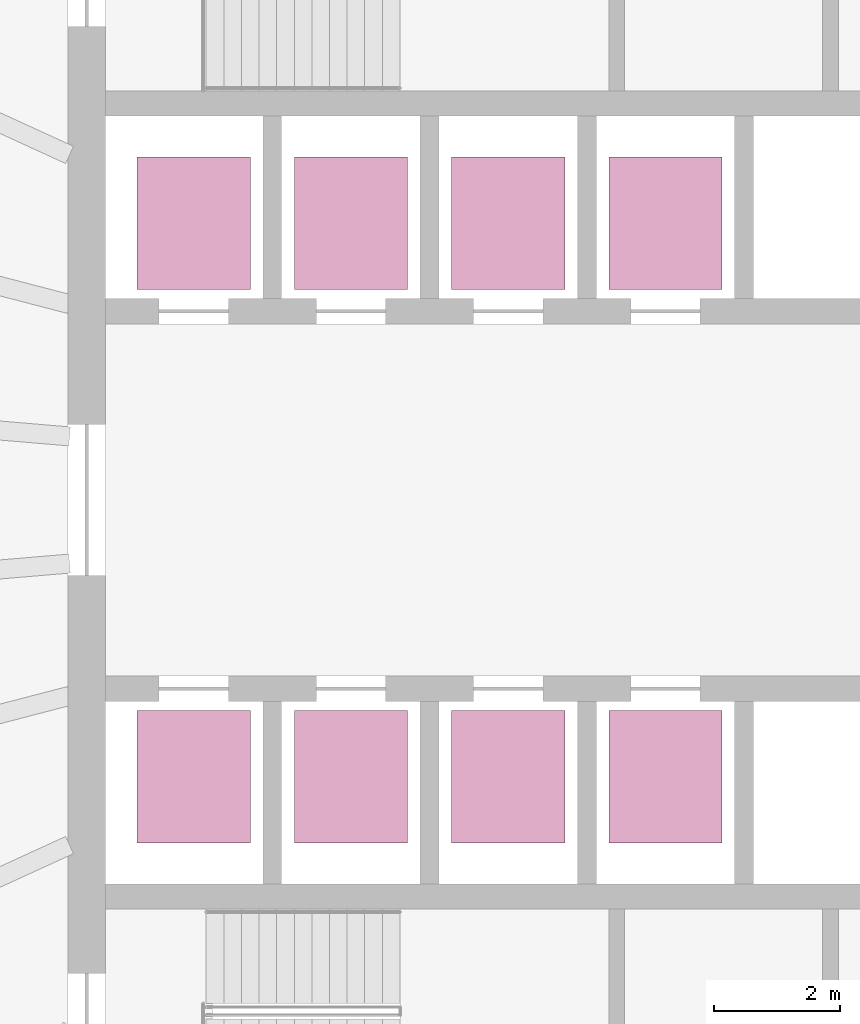
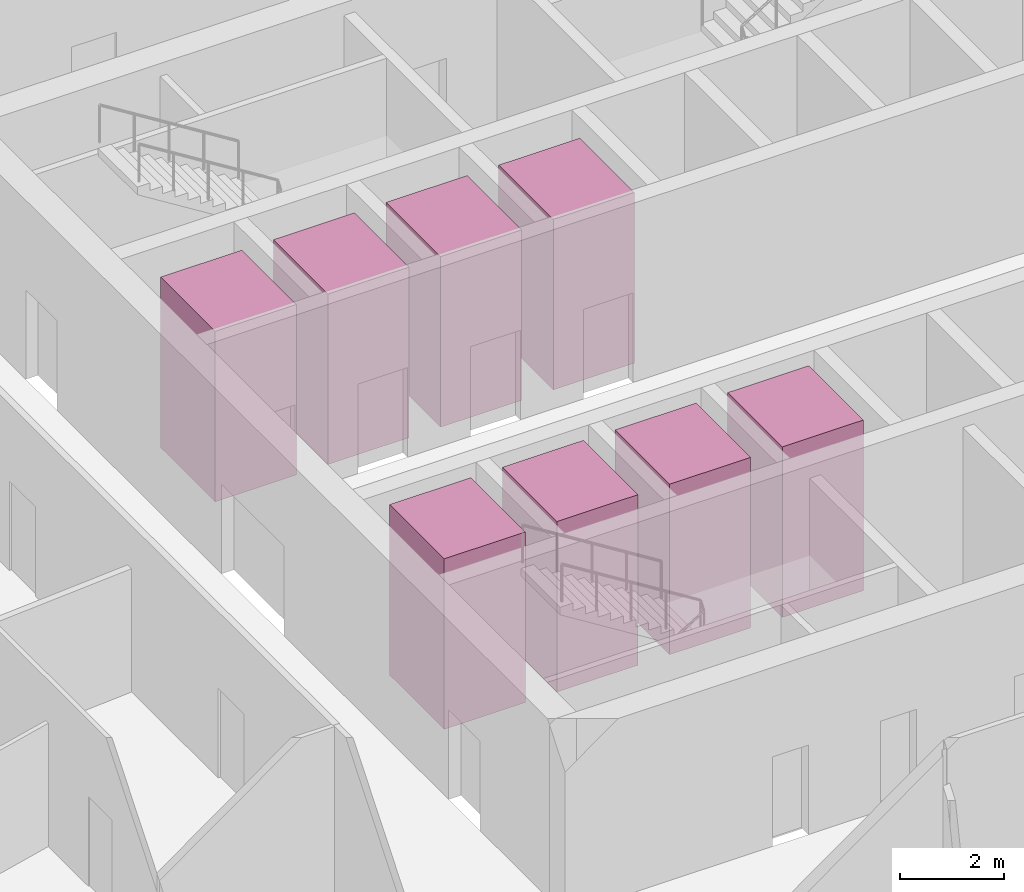
# One storey, part 16 of 16: 8 transport elements.
"""IFC4 building model written with IfcOpenShell, lengths in metres."""

import ifcopenshell
import ifcopenshell.guid

model = None  # the IFC model being written
_history = None  # IfcOwnerHistory: only IFC2X3 demands one
_inside = {}  # id of a spatial element -> (the spatial element, [elements in it])
_under = {}  # id of a project, library or spatial element -> (it, [spatial elements below it])
_declared = {}  # id of a project -> (the project, [libraries it declares])
_typed = {}  # id of a type object -> (the type object, [elements of that type])
_made_of = {}  # id of a material, layer set ... -> (it, [elements and type objects made of it])


def new_model(schema):
    """Start an empty IFC model of exactly this schema.

    Asked for "IFC4X3", IfcOpenShell would pick the latest addendum, in which some entities
    have other attributes; the version numbers below select the first issue.
    IFC2X3 requires an IfcOwnerHistory on every rooted entity: one is made here for all.
    """
    global model, _history
    if schema == "IFC4X3":
        model = ifcopenshell.file(schema_version=(4, 3, 0, 0))
    else:
        model = ifcopenshell.file(schema=schema)
    _inside.clear()
    _under.clear()
    _declared.clear()
    _typed.clear()
    _made_of.clear()
    _history = None
    if model.schema == "IFC2X3":
        org = make("IfcOrganization", Name="unknown")
        user = make(
            "IfcPersonAndOrganization",
            ThePerson=make("IfcPerson", FamilyName="unknown"),
            TheOrganization=org,
        )
        app = make(
            "IfcApplication",
            ApplicationDeveloper=org,
            Version="unknown",
            ApplicationFullName="unknown",
            ApplicationIdentifier="unknown",
        )
        _history = make(
            "IfcOwnerHistory",
            OwningUser=user,
            OwningApplication=app,
            ChangeAction="ADDED",
            CreationDate=0,
        )
    return model


def make(cls, **values):
    """One entity of the class cls with the attributes given. An attribute that is None is left unset."""
    return model.create_entity(
        cls, **{name: value for name, value in values.items() if value is not None}
    )


def rooted(cls, **values):
    """An entity with a GlobalId (a new one), such as an element, a storey or a relation."""
    return make(cls, GlobalId=ifcopenshell.guid.new(), OwnerHistory=_history, **values)


def si_unit(unit_type, name, prefix=None):
    """IfcSIUnit, for example si_unit("LENGTHUNIT", "METRE", prefix="MILLI")."""
    return make("IfcSIUnit", UnitType=unit_type, Prefix=prefix, Name=name)


def assignment(units):
    """IfcUnitAssignment: the units of a project."""
    return None if units is None else make("IfcUnitAssignment", Units=units)


def point(xyz):
    """IfcCartesianPoint."""
    return None if xyz is None else make("IfcCartesianPoint", Coordinates=xyz)


def direction(xyz):
    """IfcDirection."""
    return None if xyz is None else make("IfcDirection", DirectionRatios=xyz)


def frame(location, z_axis=None, x_axis=None):
    """IfcAxis2Placement3D, a coordinate frame: its origin and axes. An axis left out is left unset."""
    return make(
        "IfcAxis2Placement3D",
        Location=point(location),
        Axis=direction(z_axis),
        RefDirection=direction(x_axis),
    )


def frame_2d(location, x_axis=None):
    """IfcAxis2Placement2D, a coordinate frame in the plane: its origin and x axis."""
    return make(
        "IfcAxis2Placement2D", Location=point(location), RefDirection=direction(x_axis)
    )


def origin():
    """The frame at (0, 0, 0) with its axes left unset."""
    return frame((0.0, 0.0, 0.0))


def origin_2d():
    """The frame at (0, 0) in the plane with its x axis left unset."""
    return frame_2d((0.0, 0.0))


def place(relative_to, where):
    """IfcLocalPlacement: puts the frame where relative to a parent placement (None: the world)."""
    return make(
        "IfcLocalPlacement", PlacementRelTo=relative_to, RelativePlacement=where
    )


def context(
    kind, dimensions, precision=None, world=None, true_north=None, identifier=None
):
    """IfcGeometricRepresentationContext, for example the 3D "Model" context."""
    return make(
        "IfcGeometricRepresentationContext",
        ContextIdentifier=identifier,
        ContextType=kind,
        CoordinateSpaceDimension=dimensions,
        Precision=precision,
        WorldCoordinateSystem=world,
        TrueNorth=true_north,
    )


def subcontext(parent, identifier, kind, view, scale=None):
    """IfcGeometricRepresentationSubContext, for example "Body" below "Model"."""
    return make(
        "IfcGeometricRepresentationSubContext",
        ContextIdentifier=identifier,
        ContextType=kind,
        ParentContext=parent,
        TargetScale=scale,
        TargetView=view,
    )


def project(units=None, contexts=None):
    """IfcProject with its units and contexts."""
    return rooted(
        "IfcProject",
        Name="project",
        RepresentationContexts=contexts,
        UnitsInContext=assignment(units),
    )


def spatial(cls, under=None, at=None, **own):
    """A site, building, storey or space (cls), placed at a placement, below another one or the project."""
    s = rooted(cls, ObjectPlacement=at, **own)
    if under is not None:
        _under.setdefault(under.id(), (under, []))[1].append(s)
    return s


def profile(cls, at=None, kind="AREA", **sizes):
    """A parametric profile (cls). Its sizes go by their IFC names, for example OverallWidth=200.0."""
    return make(cls, ProfileType=kind, Position=at, **sizes)


def rectangle(**sizes):
    """IfcRectangleProfileDef."""
    return profile("IfcRectangleProfileDef", **sizes)


def extrude(swept, where, along, depth):
    """IfcExtrudedAreaSolid: the profile swept, set in the frame where, extruded along a direction by depth."""
    return make(
        "IfcExtrudedAreaSolid",
        SweptArea=swept,
        Position=where,
        ExtrudedDirection=direction(along),
        Depth=depth,
    )


def shape(context_of_items, identifier, shape_type, items):
    """IfcShapeRepresentation: the items that make up one representation, for example the "Body"."""
    return make(
        "IfcShapeRepresentation",
        ContextOfItems=context_of_items,
        RepresentationIdentifier=identifier,
        RepresentationType=shape_type,
        Items=items,
    )


def material(Name=None, Category=None):
    """IfcMaterial."""
    return make("IfcMaterial", Name=Name, Category=Category)


def made_of(thing, what):
    """Note that an element or type object is made of a material, layer set ...; save() writes the relation."""
    if what is not None:
        _made_of.setdefault(what.id(), (what, []))[1].append(thing)
    return thing


def type_object(cls, material=None, **own):
    """A type object (cls), such as IfcWallType, which elements share."""
    return made_of(rooted(cls, **own), material)


def element(
    cls,
    number,
    at=None,
    inside=None,
    cuts=None,
    type_object=None,
    material=None,
    context=None,
    identifier="Body",
    shape_type=None,
    held_by="IfcProductDefinitionShape",
    body=None,
    shapes=None,
    **own,
):
    """One element of the class cls, such as IfcWall. Its Tag is "e" and its number.

    at: its placement. inside: the storey or other place that contains it. cuts: it is an
    opening in that element (IfcRelVoidsElement). A single representation is given by context,
    identifier, shape_type and body (its items); several are given by shapes. held_by: the class
    of the entity that holds the representations. save() writes the other relations.
    """
    e = rooted(cls, Tag="e%d" % number, ObjectPlacement=at, **own)
    if body is not None:
        shapes = [shape(context, identifier, shape_type, body)]
    if shapes is not None:
        e.Representation = make(held_by, Representations=shapes)
    if inside is not None:
        _inside.setdefault(inside.id(), (inside, []))[1].append(e)
    if cuts is not None:
        rooted(
            "IfcRelVoidsElement", RelatingBuildingElement=cuts, RelatedOpeningElement=e
        )
    if type_object is not None:
        _typed.setdefault(type_object.id(), (type_object, []))[1].append(e)
    return made_of(e, material)


def aggregate(whole, parts):
    """IfcRelAggregates: a whole, such as a stair, and the parts it consists of."""
    return rooted("IfcRelAggregates", RelatingObject=whole, RelatedObjects=parts)


def save(model, path):
    """Write the relations noted so far, then the file.

    IfcRelAggregates (storeys below a building ...), IfcRelContainedInSpatialStructure (elements
    in a storey), IfcRelDefinesByType, IfcRelAssociatesMaterial and IfcRelDeclares: one each for
    every whole, place, type object, material and project.
    """
    for whole, parts in _under.values():
        aggregate(whole, parts)
    for where, things in _inside.values():
        rooted(
            "IfcRelContainedInSpatialStructure",
            RelatedElements=things,
            RelatingStructure=where,
        )
    for kind, things in _typed.values():
        rooted("IfcRelDefinesByType", RelatedObjects=things, RelatingType=kind)
    for what, things in _made_of.values():
        rooted("IfcRelAssociatesMaterial", RelatedObjects=things, RelatingMaterial=what)
    for by, libraries in _declared.values():
        rooted("IfcRelDeclares", RelatingContext=by, RelatedDefinitions=libraries)
    model.write(path)


model = new_model("IFC4")

# Units and contexts
model_context = context("Model", 3, precision=1e-05, world=origin(), true_north=direction((0.0, 1.0)))
body_context = subcontext(model_context, "Body", "Model", "MODEL_VIEW")
ifc_project = project(units=[si_unit("LENGTHUNIT", "METRE"), si_unit("AREAUNIT", "SQUARE_METRE"), si_unit("VOLUMEUNIT", "CUBIC_METRE"), si_unit("PLANEANGLEUNIT", "RADIAN"), si_unit("MASSUNIT", "GRAM", prefix="KILO")], contexts=[model_context])

# Site, building, storey
site_placement = place(None, origin())
site = spatial("IfcSite", under=ifc_project, at=site_placement, CompositionType="ELEMENT")
building_placement = place(site_placement, origin())
building = spatial("IfcBuilding", under=site, at=building_placement, Name="Halqa Exchange Tower", CompositionType="ELEMENT")
storey_placement = place(building_placement, frame((0.0, 0.0, 23.5)))
storey = spatial("IfcBuildingStorey", under=building, at=storey_placement, Name="L04", CompositionType="ELEMENT", Elevation=23.5)

# Transport elements
ifc_material = material(Name="Stainless steel", Category="steel")
transport_element_type = type_object("IfcTransportElementType", Name="Low-rise passenger lift 1800 x 2100", PredefinedType="ELEVATOR", material=ifc_material)
for number, where, z_axis, x_axis, name in (
    (1, (-10.0, 4.39990234375, 0.0), (0.0, 0.0, 1.0), (1.0, 0.0, 0.0), "Low-rise passenger lift LR1"),
    (2, (-7.5, 4.39990234375, 0.0), (0.0, 0.0, 1.0), (1.0, 0.0, 0.0), "Low-rise passenger lift LR2"),
    (3, (-5.0, 4.39990234375, 0.0), (0.0, 0.0, 1.0), (1.0, 0.0, 0.0), "Low-rise passenger lift LR3"),
    (4, (-2.5, 4.39990234375, 0.0), (0.0, 0.0, 1.0), (1.0, 0.0, 0.0), "Low-rise passenger lift LR4"),
    (5, (-10.0, -4.39990234375, 0.0), (0.0, 0.0, 1.0), (1.0, 0.0, 0.0), "Low-rise passenger lift LR5"),
    (6, (-7.5, -4.39990234375, 0.0), (0.0, 0.0, 1.0), (1.0, 0.0, 0.0), "Low-rise passenger lift LR6"),
    (7, (-5.0, -4.39990234375, 0.0), (0.0, 0.0, 1.0), (1.0, 0.0, 0.0), "Low-rise passenger lift LR7"),
    (8, (-2.5, -4.39990234375, 0.0), (0.0, 0.0, 1.0), (1.0, 0.0, 0.0), "Low-rise passenger lift LR8"),
):
    element("IfcTransportElement", number, at=place(storey_placement, frame(where, z_axis=z_axis, x_axis=x_axis)), inside=storey, type_object=transport_element_type, Name=name, PredefinedType="ELEVATOR", context=body_context, shape_type="SweptSolid", body=[
        extrude(rectangle(XDim=1.800048828125, YDim=2.10009765625, at=origin_2d()), origin(), (0.0, 0.0, 1.0), 4.0),
    ])

save(model, "model.ifc")
